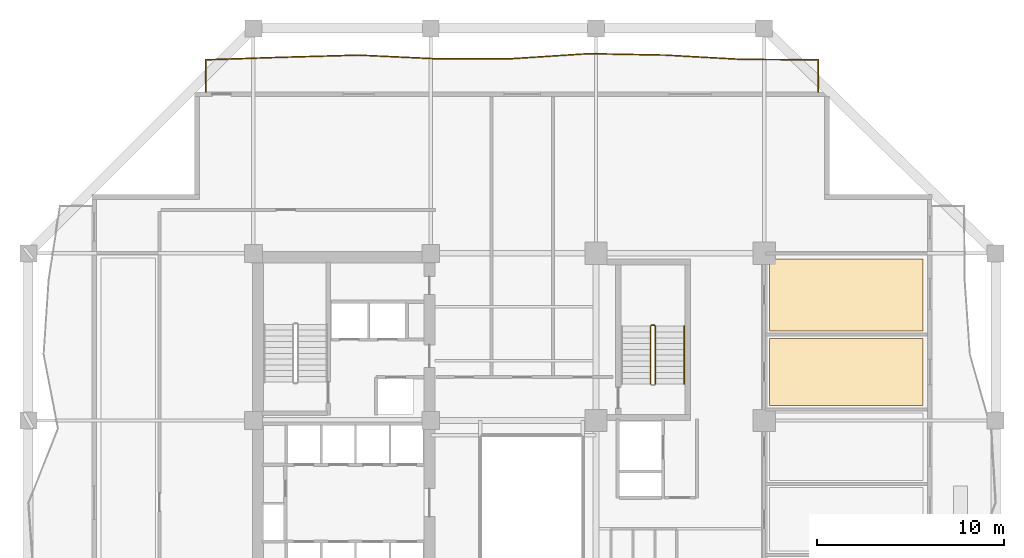
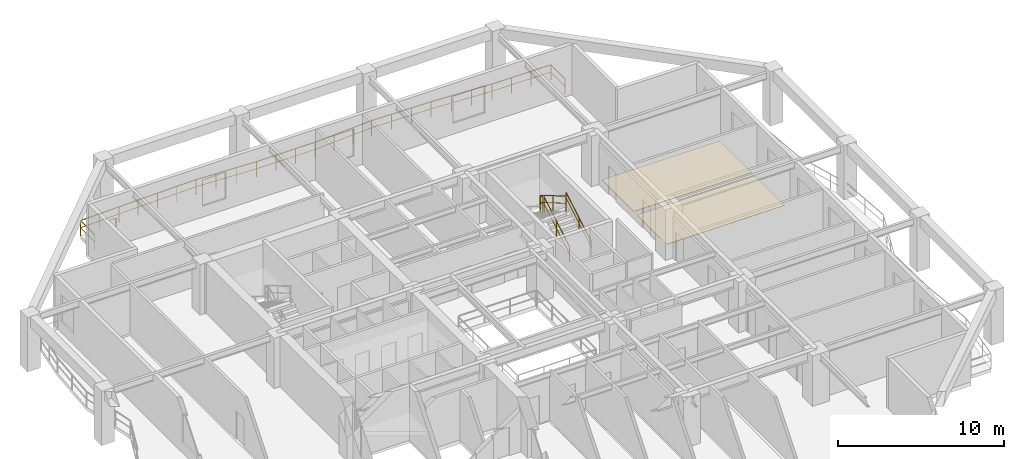
# One storey, part 12 of 13: 5 railings, 2 coverings.
"""IFC4 building model written with IfcOpenShell, lengths in metres."""

import ifcopenshell
import ifcopenshell.guid

model = None  # the IFC model being written
_history = None  # IfcOwnerHistory: only IFC2X3 demands one
_inside = {}  # id of a spatial element -> (the spatial element, [elements in it])
_under = {}  # id of a project, library or spatial element -> (it, [spatial elements below it])
_declared = {}  # id of a project -> (the project, [libraries it declares])
_typed = {}  # id of a type object -> (the type object, [elements of that type])
_made_of = {}  # id of a material, layer set ... -> (it, [elements and type objects made of it])


def new_model(schema):
    """Start an empty IFC model of exactly this schema.

    Asked for "IFC4X3", IfcOpenShell would pick the latest addendum, in which some entities
    have other attributes; the version numbers below select the first issue.
    IFC2X3 requires an IfcOwnerHistory on every rooted entity: one is made here for all.
    """
    global model, _history
    if schema == "IFC4X3":
        model = ifcopenshell.file(schema_version=(4, 3, 0, 0))
    else:
        model = ifcopenshell.file(schema=schema)
    _inside.clear()
    _under.clear()
    _declared.clear()
    _typed.clear()
    _made_of.clear()
    _history = None
    if model.schema == "IFC2X3":
        org = make("IfcOrganization", Name="unknown")
        user = make(
            "IfcPersonAndOrganization",
            ThePerson=make("IfcPerson", FamilyName="unknown"),
            TheOrganization=org,
        )
        app = make(
            "IfcApplication",
            ApplicationDeveloper=org,
            Version="unknown",
            ApplicationFullName="unknown",
            ApplicationIdentifier="unknown",
        )
        _history = make(
            "IfcOwnerHistory",
            OwningUser=user,
            OwningApplication=app,
            ChangeAction="ADDED",
            CreationDate=0,
        )
    return model


def make(cls, **values):
    """One entity of the class cls with the attributes given. An attribute that is None is left unset."""
    return model.create_entity(
        cls, **{name: value for name, value in values.items() if value is not None}
    )


def rooted(cls, **values):
    """An entity with a GlobalId (a new one), such as an element, a storey or a relation."""
    return make(cls, GlobalId=ifcopenshell.guid.new(), OwnerHistory=_history, **values)


def si_unit(unit_type, name, prefix=None):
    """IfcSIUnit, for example si_unit("LENGTHUNIT", "METRE", prefix="MILLI")."""
    return make("IfcSIUnit", UnitType=unit_type, Prefix=prefix, Name=name)


def assignment(units):
    """IfcUnitAssignment: the units of a project."""
    return None if units is None else make("IfcUnitAssignment", Units=units)


def point(xyz):
    """IfcCartesianPoint."""
    return None if xyz is None else make("IfcCartesianPoint", Coordinates=xyz)


def direction(xyz):
    """IfcDirection."""
    return None if xyz is None else make("IfcDirection", DirectionRatios=xyz)


def frame(location, z_axis=None, x_axis=None):
    """IfcAxis2Placement3D, a coordinate frame: its origin and axes. An axis left out is left unset."""
    return make(
        "IfcAxis2Placement3D",
        Location=point(location),
        Axis=direction(z_axis),
        RefDirection=direction(x_axis),
    )


def frame_2d(location, x_axis=None):
    """IfcAxis2Placement2D, a coordinate frame in the plane: its origin and x axis."""
    return make(
        "IfcAxis2Placement2D", Location=point(location), RefDirection=direction(x_axis)
    )


def origin():
    """The frame at (0, 0, 0) with its axes left unset."""
    return frame((0.0, 0.0, 0.0))


def origin_2d():
    """The frame at (0, 0) in the plane with its x axis left unset."""
    return frame_2d((0.0, 0.0))


def place(relative_to, where):
    """IfcLocalPlacement: puts the frame where relative to a parent placement (None: the world)."""
    return make(
        "IfcLocalPlacement", PlacementRelTo=relative_to, RelativePlacement=where
    )


def context(
    kind, dimensions, precision=None, world=None, true_north=None, identifier=None
):
    """IfcGeometricRepresentationContext, for example the 3D "Model" context."""
    return make(
        "IfcGeometricRepresentationContext",
        ContextIdentifier=identifier,
        ContextType=kind,
        CoordinateSpaceDimension=dimensions,
        Precision=precision,
        WorldCoordinateSystem=world,
        TrueNorth=true_north,
    )


def subcontext(parent, identifier, kind, view, scale=None):
    """IfcGeometricRepresentationSubContext, for example "Body" below "Model"."""
    return make(
        "IfcGeometricRepresentationSubContext",
        ContextIdentifier=identifier,
        ContextType=kind,
        ParentContext=parent,
        TargetScale=scale,
        TargetView=view,
    )


def project(units=None, contexts=None):
    """IfcProject with its units and contexts."""
    return rooted(
        "IfcProject",
        Name="project",
        RepresentationContexts=contexts,
        UnitsInContext=assignment(units),
    )


def spatial(cls, under=None, at=None, **own):
    """A site, building, storey or space (cls), placed at a placement, below another one or the project."""
    s = rooted(cls, ObjectPlacement=at, **own)
    if under is not None:
        _under.setdefault(under.id(), (under, []))[1].append(s)
    return s


def polyline(points):
    """IfcPolyline through the points."""
    return make("IfcPolyline", Points=[point(p) for p in points])


def profile(cls, at=None, kind="AREA", **sizes):
    """A parametric profile (cls). Its sizes go by their IFC names, for example OverallWidth=200.0."""
    return make(cls, ProfileType=kind, Position=at, **sizes)


def rectangle(**sizes):
    """IfcRectangleProfileDef."""
    return profile("IfcRectangleProfileDef", **sizes)


def outline(outer, holes=None, kind="AREA"):
    """IfcArbitraryClosedProfileDef: a profile drawn as a closed curve; with holes, ...WithVoids."""
    if holes is None:
        return make("IfcArbitraryClosedProfileDef", ProfileType=kind, OuterCurve=outer)
    return make(
        "IfcArbitraryProfileDefWithVoids",
        ProfileType=kind,
        OuterCurve=outer,
        InnerCurves=holes,
    )


def extrude(swept, where, along, depth):
    """IfcExtrudedAreaSolid: the profile swept, set in the frame where, extruded along a direction by depth."""
    return make(
        "IfcExtrudedAreaSolid",
        SweptArea=swept,
        Position=where,
        ExtrudedDirection=direction(along),
        Depth=depth,
    )


def shape(context_of_items, identifier, shape_type, items):
    """IfcShapeRepresentation: the items that make up one representation, for example the "Body"."""
    return make(
        "IfcShapeRepresentation",
        ContextOfItems=context_of_items,
        RepresentationIdentifier=identifier,
        RepresentationType=shape_type,
        Items=items,
    )


def material(Name=None, Category=None):
    """IfcMaterial."""
    return make("IfcMaterial", Name=Name, Category=Category)


def layer(
    of_material, thickness, ventilated=None, Name=None, Category=None, Priority=None
):
    """IfcMaterialLayer: one layer of a wall or slab, of a material (None: an air gap)."""
    return make(
        "IfcMaterialLayer",
        Material=of_material,
        LayerThickness=thickness,
        IsVentilated=ventilated,
        Name=Name,
        Category=Category,
        Priority=Priority,
    )


def layer_set(layers, Name=None):
    """IfcMaterialLayerSet."""
    return make("IfcMaterialLayerSet", MaterialLayers=layers, LayerSetName=Name)


def made_of(thing, what):
    """Note that an element or type object is made of a material, layer set ...; save() writes the relation."""
    if what is not None:
        _made_of.setdefault(what.id(), (what, []))[1].append(thing)
    return thing


def type_object(cls, material=None, **own):
    """A type object (cls), such as IfcWallType, which elements share."""
    return made_of(rooted(cls, **own), material)


def element(
    cls,
    number,
    at=None,
    inside=None,
    cuts=None,
    type_object=None,
    material=None,
    context=None,
    identifier="Body",
    shape_type=None,
    held_by="IfcProductDefinitionShape",
    body=None,
    shapes=None,
    **own,
):
    """One element of the class cls, such as IfcWall. Its Tag is "e" and its number.

    at: its placement. inside: the storey or other place that contains it. cuts: it is an
    opening in that element (IfcRelVoidsElement). A single representation is given by context,
    identifier, shape_type and body (its items); several are given by shapes. held_by: the class
    of the entity that holds the representations. save() writes the other relations.
    """
    e = rooted(cls, Tag="e%d" % number, ObjectPlacement=at, **own)
    if body is not None:
        shapes = [shape(context, identifier, shape_type, body)]
    if shapes is not None:
        e.Representation = make(held_by, Representations=shapes)
    if inside is not None:
        _inside.setdefault(inside.id(), (inside, []))[1].append(e)
    if cuts is not None:
        rooted(
            "IfcRelVoidsElement", RelatingBuildingElement=cuts, RelatedOpeningElement=e
        )
    if type_object is not None:
        _typed.setdefault(type_object.id(), (type_object, []))[1].append(e)
    return made_of(e, material)


def aggregate(whole, parts):
    """IfcRelAggregates: a whole, such as a stair, and the parts it consists of."""
    return rooted("IfcRelAggregates", RelatingObject=whole, RelatedObjects=parts)


def save(model, path):
    """Write the relations noted so far, then the file.

    IfcRelAggregates (storeys below a building ...), IfcRelContainedInSpatialStructure (elements
    in a storey), IfcRelDefinesByType, IfcRelAssociatesMaterial and IfcRelDeclares: one each for
    every whole, place, type object, material and project.
    """
    for whole, parts in _under.values():
        aggregate(whole, parts)
    for where, things in _inside.values():
        rooted(
            "IfcRelContainedInSpatialStructure",
            RelatedElements=things,
            RelatingStructure=where,
        )
    for kind, things in _typed.values():
        rooted("IfcRelDefinesByType", RelatedObjects=things, RelatingType=kind)
    for what, things in _made_of.values():
        rooted("IfcRelAssociatesMaterial", RelatedObjects=things, RelatingMaterial=what)
    for by, libraries in _declared.values():
        rooted("IfcRelDeclares", RelatingContext=by, RelatedDefinitions=libraries)
    model.write(path)


model = new_model("IFC4")

# Units and contexts
model_context = context("Model", 3, precision=1e-05, world=origin(), true_north=direction((0.0, 1.0)))
body_context = subcontext(model_context, "Body", "Model", "MODEL_VIEW")
ifc_project = project(units=[si_unit("LENGTHUNIT", "METRE"), si_unit("AREAUNIT", "SQUARE_METRE"), si_unit("VOLUMEUNIT", "CUBIC_METRE"), si_unit("PLANEANGLEUNIT", "RADIAN"), si_unit("MASSUNIT", "GRAM", prefix="KILO")], contexts=[model_context])

# Site, building, storey
site_placement = place(None, origin())
site = spatial("IfcSite", under=ifc_project, at=site_placement, CompositionType="ELEMENT")
building_placement = place(site_placement, origin())
building = spatial("IfcBuilding", under=site, at=building_placement, Name="Kundavana Baori Tower", CompositionType="ELEMENT")
storey_placement = place(building_placement, frame((0.0, 0.0, 66.0)))
storey = spatial("IfcBuildingStorey", under=building, at=storey_placement, Name="L15", CompositionType="ELEMENT", Elevation=66.0)

# Coverings
ifc_material_1 = material(Name="Honed Kota Stone and Terrazzo Flooring", Category="masonry")
ifc_layer = layer(ifc_material_1, 0.030029296875, Name="COV-INT-FLR")
ifc_layer_set = layer_set([ifc_layer], Name="Honed Kota Stone and Terrazzo Flooring")
covering_type = type_object("IfcCoveringType", Name="COV-INT-FLR", PredefinedType="FLOORING", material=ifc_layer_set)
covering_1_placement = place(storey_placement, origin())
element("IfcCovering", 1, at=covering_1_placement, inside=storey, type_object=covering_type, Name="L15 Room Finished Stone Flooring 12", PredefinedType="FLOORING", context=body_context, shape_type="SweptSolid", body=[
    extrude(outline(polyline([(43.10009765625, 33.800048828125), (51.320068359375, 33.800048828125), (51.320068359375, 37.39990234375), (43.10009765625, 37.39990234375), (43.10009765625, 33.800048828125)])), origin(), (0.0, 0.0, 1.0), 0.030029296875),
])
covering_2_placement = place(storey_placement, origin())
element("IfcCovering", 2, at=covering_2_placement, inside=storey, type_object=covering_type, Name="L15 Room Finished Stone Flooring 13", PredefinedType="FLOORING", context=body_context, shape_type="SweptSolid", body=[
    extrude(outline(polyline([(43.10009765625, 37.800048828125), (51.320068359375, 37.800048828125), (51.320068359375, 41.64990234375), (43.10009765625, 41.64990234375), (43.10009765625, 37.800048828125)])), origin(), (0.0, 0.0, 1.0), 0.030029296875),
])

# Railings
ifc_material_2 = material(Name="Architectural Patinated Bronze Metalwork")
railing_type_1 = type_object("IfcRailingType", Name="RL-BAL-1150", PredefinedType="BALUSTRADE", material=ifc_material_2)
railing_1_placement = place(storey_placement, frame((12.89990234375, 50.60009765625, 0.0)))
element("IfcRailing", 3, at=railing_1_placement, inside=storey, type_object=railing_type_1, Name="L15 Loggia Balcony Balustrade N", PredefinedType="BALUSTRADE", context=body_context, shape_type="SweptSolid", body=[
    extrude(rectangle(XDim=0.048095703125, YDim=0.048095703125, at=origin_2d()), frame((0.0, 0.0, 1.1259765625), z_axis=(0.0, 1.0, 0.0), x_axis=(-1.0, 0.0, 0.0)), (0.0, 0.0, 1.0), 1.719970703125),
    extrude(rectangle(XDim=0.03125, YDim=0.03125, at=origin_2d()), frame((0.0, 0.0, 0.597900390625), z_axis=(0.0, 1.0, 0.0), x_axis=(-1.0, 0.0, 0.0)), (0.0, 0.0, 1.0), 1.719970703125),
    extrude(rectangle(XDim=0.048095703125, YDim=0.048095703125, at=origin_2d()), frame((0.0, 1.719970703125, 1.1259765625), z_axis=(0.9994425266, 0.033386165144, 0.0), x_axis=(-0.033386165144, 0.9994425266, 0.0)), (0.0, 0.0, 1.0), 4.102294921875),
    extrude(rectangle(XDim=0.03125, YDim=0.03125, at=origin_2d()), frame((0.0, 1.719970703125, 0.597900390625), z_axis=(0.9994425266, 0.033386165144, 0.0), x_axis=(-0.033386165144, 0.9994425266, 0.0)), (0.0, 0.0, 1.0), 4.102294921875),
    extrude(rectangle(XDim=0.048095703125, YDim=0.048095703125, at=origin_2d()), frame((4.10009765625, 1.85693359375, 1.1259765625), z_axis=(0.999600250019, 0.028272604428, 0.0), x_axis=(-0.028272604428, 0.999600250019, 0.0)), (0.0, 0.0, 1.0), 4.101806640625),
    extrude(rectangle(XDim=0.03125, YDim=0.03125, at=origin_2d()), frame((4.10009765625, 1.85693359375, 0.597900390625), z_axis=(0.999600250019, 0.028272604428, 0.0), x_axis=(-0.028272604428, 0.999600250019, 0.0)), (0.0, 0.0, 1.0), 4.101806640625),
    extrude(rectangle(XDim=0.048095703125, YDim=0.048095703125, at=origin_2d()), frame((8.2001953125, 1.972900390625, 1.1259765625), z_axis=(0.998858698122, -0.047762968772, 0.0), x_axis=(0.047762968772, 0.998858698122, 0.0)), (0.0, 0.0, 1.0), 4.1044921875),
    extrude(rectangle(XDim=0.03125, YDim=0.03125, at=origin_2d()), frame((8.2001953125, 1.972900390625, 0.597900390625), z_axis=(0.998858698122, -0.047762968772, 0.0), x_axis=(0.047762968772, 0.998858698122, 0.0)), (0.0, 0.0, 1.0), 4.1044921875),
    extrude(rectangle(XDim=0.048095703125, YDim=0.048095703125, at=origin_2d()), frame((12.300048828125, 1.77685546875, 1.1259765625), z_axis=(0.999999218193, 0.00125044561, 0.0), x_axis=(-0.00125044561, 0.999999218193, 0.0)), (0.0, 0.0, 1.0), 4.10009765625),
    extrude(rectangle(XDim=0.03125, YDim=0.03125, at=origin_2d()), frame((12.300048828125, 1.77685546875, 0.597900390625), z_axis=(0.999999218193, 0.00125044561, 0.0), x_axis=(-0.00125044561, 0.999999218193, 0.0)), (0.0, 0.0, 1.0), 4.10009765625),
    extrude(rectangle(XDim=0.048095703125, YDim=0.048095703125, at=origin_2d()), frame((16.400146484375, 1.781982421875, 1.1259765625), z_axis=(0.997857648626, 0.065422573164, 0.0), x_axis=(-0.065422573164, 0.997857648626, 0.0)), (0.0, 0.0, 1.0), 4.108642578125),
    extrude(rectangle(XDim=0.03125, YDim=0.03125, at=origin_2d()), frame((16.400146484375, 1.781982421875, 0.597900390625), z_axis=(0.997857648626, 0.065422573164, 0.0), x_axis=(-0.065422573164, 0.997857648626, 0.0)), (0.0, 0.0, 1.0), 4.108642578125),
    extrude(rectangle(XDim=0.048095703125, YDim=0.048095703125, at=origin_2d()), frame((20.5, 2.05078125, 1.1259765625), z_axis=(0.999819646087, -0.018991453323, 0.0), x_axis=(0.018991453323, 0.999819646087, 0.0)), (0.0, 0.0, 1.0), 4.100830078125),
    extrude(rectangle(XDim=0.03125, YDim=0.03125, at=origin_2d()), frame((20.5, 2.05078125, 0.597900390625), z_axis=(0.999819646087, -0.018991453323, 0.0), x_axis=(0.018991453323, 0.999819646087, 0.0)), (0.0, 0.0, 1.0), 4.100830078125),
    extrude(rectangle(XDim=0.048095703125, YDim=0.048095703125, at=origin_2d()), frame((24.60009765625, 1.972900390625, 1.1259765625), z_axis=(0.998443845481, -0.055766364598, 0.0), x_axis=(0.055766364598, 0.998443845481, 0.0)), (0.0, 0.0, 1.0), 4.1064453125),
    extrude(rectangle(XDim=0.03125, YDim=0.03125, at=origin_2d()), frame((24.60009765625, 1.972900390625, 0.597900390625), z_axis=(0.998443845481, -0.055766364598, 0.0), x_axis=(0.055766364598, 0.998443845481, 0.0)), (0.0, 0.0, 1.0), 4.1064453125),
    extrude(rectangle(XDim=0.048095703125, YDim=0.048095703125, at=origin_2d()), frame((28.7001953125, 1.743896484375, 1.1259765625), z_axis=(0.999982972359, -0.005835665533, 0.0), x_axis=(0.005835665533, 0.999982972359, 0.0)), (0.0, 0.0, 1.0), 4.099853515625),
    extrude(rectangle(XDim=0.03125, YDim=0.03125, at=origin_2d()), frame((28.7001953125, 1.743896484375, 0.597900390625), z_axis=(0.999982972359, -0.005835665533, 0.0), x_axis=(0.005835665533, 0.999982972359, 0.0)), (0.0, 0.0, 1.0), 4.099853515625),
    extrude(rectangle(XDim=0.048095703125, YDim=0.048095703125, at=origin_2d()), frame((32.800048828125, 1.719970703125, 1.1259765625), z_axis=(0.0, -1.0, 0.0), x_axis=(1.0, 0.0, 0.0)), (0.0, 0.0, 1.0), 1.719970703125),
    extrude(rectangle(XDim=0.03125, YDim=0.03125, at=origin_2d()), frame((32.800048828125, 1.719970703125, 0.597900390625), z_axis=(0.0, -1.0, 0.0), x_axis=(1.0, 0.0, 0.0)), (0.0, 0.0, 1.0), 1.719970703125),
    extrude(rectangle(XDim=0.0419921875, YDim=0.0419921875, at=origin_2d()), origin(), (0.0, 0.0, 1.0), 1.101806640625),
    extrude(rectangle(XDim=0.0419921875, YDim=0.0419921875, at=origin_2d()), frame((0.0, 1.719970703125, 0.0)), (0.0, 0.0, 1.0), 1.101806640625),
    extrude(rectangle(XDim=0.0419921875, YDim=0.0419921875, at=origin_2d()), frame((1.36669921875, 1.765625, 0.0)), (0.0, 0.0, 1.0), 1.101806640625),
    extrude(rectangle(XDim=0.0419921875, YDim=0.0419921875, at=origin_2d()), frame((2.7333984375, 1.811279296875, 0.0)), (0.0, 0.0, 1.0), 1.101806640625),
    extrude(rectangle(XDim=0.0419921875, YDim=0.0419921875, at=origin_2d()), frame((4.10009765625, 1.85693359375, 0.0)), (0.0, 0.0, 1.0), 1.101806640625),
    extrude(rectangle(XDim=0.0419921875, YDim=0.0419921875, at=origin_2d()), frame((5.466796875, 1.8955078125, 0.0)), (0.0, 0.0, 1.0), 1.101806640625),
    extrude(rectangle(XDim=0.0419921875, YDim=0.0419921875, at=origin_2d()), frame((6.83349609375, 1.934326171875, 0.0)), (0.0, 0.0, 1.0), 1.101806640625),
    extrude(rectangle(XDim=0.0419921875, YDim=0.0419921875, at=origin_2d()), frame((8.2001953125, 1.972900390625, 0.0)), (0.0, 0.0, 1.0), 1.101806640625),
    extrude(rectangle(XDim=0.0419921875, YDim=0.0419921875, at=origin_2d()), frame((9.56689453125, 1.907470703125, 0.0)), (0.0, 0.0, 1.0), 1.101806640625),
    extrude(rectangle(XDim=0.0419921875, YDim=0.0419921875, at=origin_2d()), frame((10.933349609375, 1.84228515625, 0.0)), (0.0, 0.0, 1.0), 1.101806640625),
    extrude(rectangle(XDim=0.0419921875, YDim=0.0419921875, at=origin_2d()), frame((12.300048828125, 1.77685546875, 0.0)), (0.0, 0.0, 1.0), 1.101806640625),
    extrude(rectangle(XDim=0.0419921875, YDim=0.0419921875, at=origin_2d()), frame((13.666748046875, 1.778564453125, 0.0)), (0.0, 0.0, 1.0), 1.101806640625),
    extrude(rectangle(XDim=0.0419921875, YDim=0.0419921875, at=origin_2d()), frame((15.033447265625, 1.7802734375, 0.0)), (0.0, 0.0, 1.0), 1.101806640625),
    extrude(rectangle(XDim=0.0419921875, YDim=0.0419921875, at=origin_2d()), frame((16.400146484375, 1.781982421875, 0.0)), (0.0, 0.0, 1.0), 1.101806640625),
    extrude(rectangle(XDim=0.0419921875, YDim=0.0419921875, at=origin_2d()), frame((17.766845703125, 1.87158203125, 0.0)), (0.0, 0.0, 1.0), 1.101806640625),
    extrude(rectangle(XDim=0.0419921875, YDim=0.0419921875, at=origin_2d()), frame((19.13330078125, 1.961181640625, 0.0)), (0.0, 0.0, 1.0), 1.101806640625),
    extrude(rectangle(XDim=0.0419921875, YDim=0.0419921875, at=origin_2d()), frame((20.5, 2.05078125, 0.0)), (0.0, 0.0, 1.0), 1.101806640625),
    extrude(rectangle(XDim=0.0419921875, YDim=0.0419921875, at=origin_2d()), frame((21.86669921875, 2.02490234375, 0.0)), (0.0, 0.0, 1.0), 1.101806640625),
    extrude(rectangle(XDim=0.0419921875, YDim=0.0419921875, at=origin_2d()), frame((23.2333984375, 1.998779296875, 0.0)), (0.0, 0.0, 1.0), 1.101806640625),
    extrude(rectangle(XDim=0.0419921875, YDim=0.0419921875, at=origin_2d()), frame((24.60009765625, 1.972900390625, 0.0)), (0.0, 0.0, 1.0), 1.101806640625),
    extrude(rectangle(XDim=0.0419921875, YDim=0.0419921875, at=origin_2d()), frame((25.966796875, 1.896484375, 0.0)), (0.0, 0.0, 1.0), 1.101806640625),
    extrude(rectangle(XDim=0.0419921875, YDim=0.0419921875, at=origin_2d()), frame((27.33349609375, 1.8203125, 0.0)), (0.0, 0.0, 1.0), 1.101806640625),
    extrude(rectangle(XDim=0.0419921875, YDim=0.0419921875, at=origin_2d()), frame((28.7001953125, 1.743896484375, 0.0)), (0.0, 0.0, 1.0), 1.101806640625),
    extrude(rectangle(XDim=0.0419921875, YDim=0.0419921875, at=origin_2d()), frame((30.06689453125, 1.73583984375, 0.0)), (0.0, 0.0, 1.0), 1.101806640625),
    extrude(rectangle(XDim=0.0419921875, YDim=0.0419921875, at=origin_2d()), frame((31.433349609375, 1.72802734375, 0.0)), (0.0, 0.0, 1.0), 1.101806640625),
    extrude(rectangle(XDim=0.0419921875, YDim=0.0419921875, at=origin_2d()), frame((32.800048828125, 1.719970703125, 0.0)), (0.0, 0.0, 1.0), 1.101806640625),
    extrude(rectangle(XDim=0.0419921875, YDim=0.0419921875, at=origin_2d()), frame((32.800048828125, 0.0, 0.0)), (0.0, 0.0, 1.0), 1.101806640625),
])
ifc_material_3 = material(Name="Architectural Patinated Bronze Metalwork")
railing_type_2 = type_object("IfcRailingType", Name="RL-GRD-1150", PredefinedType="GUARDRAIL", material=ifc_material_3)
railing_2_placement = place(storey_placement, frame((36.97998046875, 34.949951171875, 0.181884765625)))
element("IfcRailing", 4, at=railing_2_placement, inside=storey, type_object=railing_type_2, Name="L15 ST3 stair guard 1", PredefinedType="GUARDRAIL", context=body_context, shape_type="SweptSolid", body=[
    extrude(rectangle(XDim=0.048095703125, YDim=0.048095703125, at=origin_2d()), frame((0.0, 0.0, 1.1259765625), z_axis=(0.0, 0.862598821094, 0.505888598258), x_axis=(-1.0, 0.0, 0.0)), (0.0, 0.0, 1.0), 3.593994140625),
    extrude(rectangle(XDim=0.03125, YDim=0.03125, at=origin_2d()), frame((0.0, 0.0, 0.597900390625), z_axis=(0.0, 0.862598821094, 0.505888598258), x_axis=(-1.0, 0.0, 0.0)), (0.0, 0.0, 1.0), 3.593994140625),
    extrude(rectangle(XDim=0.0419921875, YDim=0.0419921875, at=origin_2d()), origin(), (0.0, 0.0, 1.0), 1.101806640625),
    extrude(rectangle(XDim=0.0419921875, YDim=0.0419921875, at=origin_2d()), frame((0.0, 1.550048828125, 0.9091796875)), (0.0, 0.0, 1.0), 1.101806640625),
    extrude(rectangle(XDim=0.0419921875, YDim=0.0419921875, at=origin_2d()), frame((0.0, 3.10009765625, 1.818115234375)), (0.0, 0.0, 1.0), 1.101806640625),
])
railing_3_placement = place(storey_placement, frame((36.929931640625, 38.10009765625, 2.0)))
element("IfcRailing", 5, at=railing_3_placement, inside=storey, type_object=railing_type_2, Name="L15 ST3 stair guard 2", PredefinedType="GUARDRAIL", context=body_context, shape_type="SweptSolid", body=[
    extrude(rectangle(XDim=0.048095703125, YDim=0.048095703125, at=origin_2d()), frame((0.0, 0.0, 1.1259765625), z_axis=(-1.0, 0.0, 0.0), x_axis=(0.0, -1.0, 0.0)), (0.0, 0.0, 1.0), 0.159912109375),
    extrude(rectangle(XDim=0.03125, YDim=0.03125, at=origin_2d()), frame((0.0, 0.0, 0.597900390625), z_axis=(-1.0, 0.0, 0.0), x_axis=(0.0, -1.0, 0.0)), (0.0, 0.0, 1.0), 0.159912109375),
    extrude(rectangle(XDim=0.0419921875, YDim=0.0419921875, at=origin_2d()), origin(), (0.0, 0.0, 1.0), 1.101806640625),
    extrude(rectangle(XDim=0.0419921875, YDim=0.0419921875, at=origin_2d()), frame((-0.159912109375, 0.0, 0.0)), (0.0, 0.0, 1.0), 1.101806640625),
])
railing_4_placement = place(storey_placement, frame((36.719970703125, 38.050048828125, 2.181884765625)))
element("IfcRailing", 6, at=railing_4_placement, inside=storey, type_object=railing_type_2, Name="L15 ST3 stair guard 3", PredefinedType="GUARDRAIL", context=body_context, shape_type="SweptSolid", body=[
    extrude(rectangle(XDim=0.048095703125, YDim=0.048095703125, at=origin_2d()), frame((0.0, 0.0, 1.1259765625), z_axis=(0.0, -0.862598821094, 0.505888598258), x_axis=(1.0, 0.0, 0.0)), (0.0, 0.0, 1.0), 3.593994140625),
    extrude(rectangle(XDim=0.03125, YDim=0.03125, at=origin_2d()), frame((0.0, 0.0, 0.597900390625), z_axis=(0.0, -0.862598821094, 0.505888598258), x_axis=(1.0, 0.0, 0.0)), (0.0, 0.0, 1.0), 3.593994140625),
    extrude(rectangle(XDim=0.0419921875, YDim=0.0419921875, at=origin_2d()), origin(), (0.0, 0.0, 1.0), 1.101806640625),
    extrude(rectangle(XDim=0.0419921875, YDim=0.0419921875, at=origin_2d()), frame((0.0, -1.550048828125, 0.9091796875)), (0.0, 0.0, 1.0), 1.101806640625),
    extrude(rectangle(XDim=0.0419921875, YDim=0.0419921875, at=origin_2d()), frame((0.0, -3.10009765625, 1.818115234375)), (0.0, 0.0, 1.0), 1.101806640625),
])
ifc_material_4 = material(Name="Architectural Patinated Bronze Metalwork")
railing_type_3 = type_object("IfcRailingType", Name="RL-HND-920", PredefinedType="HANDRAIL", material=ifc_material_4)
railing_5_placement = place(storey_placement, frame((38.530029296875, 34.949951171875, 0.181884765625)))
element("IfcRailing", 7, at=railing_5_placement, inside=storey, type_object=railing_type_3, Name="L15 ST3 stair handrail 1", PredefinedType="HANDRAIL", context=body_context, shape_type="SweptSolid", body=[
    extrude(rectangle(XDim=0.048095703125, YDim=0.048095703125, at=origin_2d()), frame((0.0, 0.0, 0.8759765625), z_axis=(0.0, 0.862598821094, 0.505888598258), x_axis=(-1.0, 0.0, 0.0)), (0.0, 0.0, 1.0), 3.593994140625),
    extrude(rectangle(XDim=0.03125, YDim=0.03125, at=origin_2d()), frame((0.0, 0.0, 0.468017578125), z_axis=(0.0, 0.862598821094, 0.505888598258), x_axis=(-1.0, 0.0, 0.0)), (0.0, 0.0, 1.0), 3.593994140625),
    extrude(rectangle(XDim=0.0419921875, YDim=0.0419921875, at=origin_2d()), origin(), (0.0, 0.0, 1.0), 0.851806640625),
    extrude(rectangle(XDim=0.0419921875, YDim=0.0419921875, at=origin_2d()), frame((0.0, 1.550048828125, 0.9091796875)), (0.0, 0.0, 1.0), 0.851806640625),
    extrude(rectangle(XDim=0.0419921875, YDim=0.0419921875, at=origin_2d()), frame((0.0, 3.10009765625, 1.818115234375)), (0.0, 0.0, 1.0), 0.851806640625),
])

save(model, "model.ifc")
